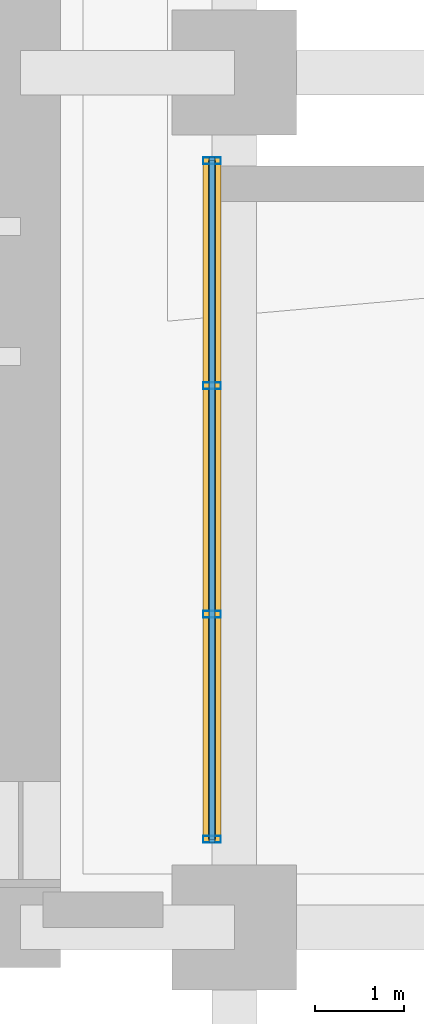
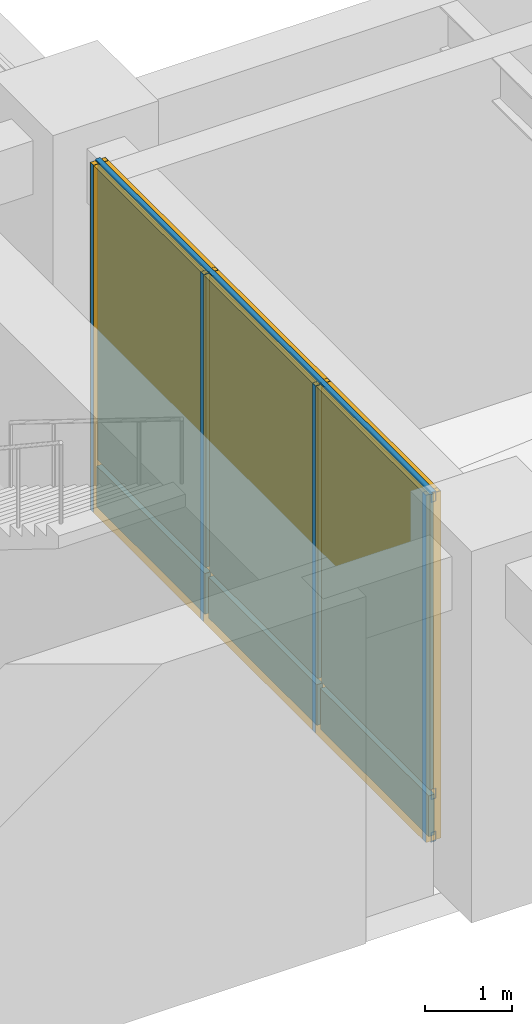
# One storey, part 10 of 22: 7 members, 6 plates, 1 curtain wall.
"""IFC4 building model written with IfcOpenShell, lengths in metres."""

from ifc_helpers import new_model, si_unit, direction, frame, frame_2d, origin, origin_2d, place, context, subcontext, project, spatial, rectangle, hollow_rectangle, extrude, material, layer, layer_set, material_profile, profile_set, type_object, element, aggregate, save


model = new_model("IFC4")

# Units and contexts
model_context = context("Model", 3, precision=1e-05, world=origin(), true_north=direction((0.0, 1.0)))
body_context = subcontext(model_context, "Body", "Model", "MODEL_VIEW")
ifc_project = project(units=[si_unit("LENGTHUNIT", "METRE"), si_unit("AREAUNIT", "SQUARE_METRE"), si_unit("VOLUMEUNIT", "CUBIC_METRE"), si_unit("PLANEANGLEUNIT", "RADIAN"), si_unit("MASSUNIT", "GRAM", prefix="KILO")], contexts=[model_context])

# Member
ifc_material_1 = material(Name="Anodized Aluminium 6063-T6", Category="aluminium")
ifc_material_profile_1 = material_profile(ifc_material_1, hollow_rectangle(XDim=0.074951171875, YDim=0.199951171875, WallThickness=0.00390625, at=origin_2d()), Name="Anodized Aluminium 6063-T6")
ifc_profile_set_1 = profile_set([ifc_material_profile_1], Name="Anodized Aluminium 6063-T6")
member_type_1 = type_object("IfcMemberType", Name="Curtain Wall Mullion 200", PredefinedType="MULLION", material=ifc_profile_set_1)
site_placement = place(None, origin())
building_placement = place(site_placement, origin())
storey_placement = place(building_placement, frame((0.0, 0.0, 5.199951171875)))
member_1_placement = place(storey_placement, frame((18.949951171875, 10.590087890625, 0.0), z_axis=(0.0, 0.0, 1.0), x_axis=(0.0, 1.0, 0.0)))
member_1 = element("IfcMember", 1, at=member_1_placement, type_object=member_type_1, Name="Curtain Wall Mullion CW-L01-LOB-S1-M01", PredefinedType="MULLION", context=body_context, shape_type="SweptSolid", body=[
    extrude(hollow_rectangle(XDim=0.074951171875, YDim=0.199951171875, WallThickness=0.00390625, at=origin_2d()), origin(), (0.0, 0.0, 1.0), 4.860107421875),
])

member_2_placement = place(storey_placement, frame((18.949951171875, 13.11669921875, 0.0), z_axis=(0.0, 0.0, 1.0), x_axis=(0.0, 1.0, 0.0)))
member_2 = element("IfcMember", 2, at=member_2_placement, type_object=member_type_1, Name="Curtain Wall Mullion CW-L01-LOB-S1-M02", PredefinedType="MULLION", context=body_context, shape_type="SweptSolid", body=[
    extrude(hollow_rectangle(XDim=0.074951171875, YDim=0.199951171875, WallThickness=0.00390625, at=origin_2d()), origin(), (0.0, 0.0, 1.0), 4.860107421875),
])

member_3_placement = place(storey_placement, frame((18.949951171875, 15.683349609375, 0.0), z_axis=(0.0, 0.0, 1.0), x_axis=(0.0, 1.0, 0.0)))
member_3 = element("IfcMember", 3, at=member_3_placement, type_object=member_type_1, Name="Curtain Wall Mullion CW-L01-LOB-S1-M03", PredefinedType="MULLION", context=body_context, shape_type="SweptSolid", body=[
    extrude(hollow_rectangle(XDim=0.074951171875, YDim=0.199951171875, WallThickness=0.00390625, at=origin_2d()), origin(), (0.0, 0.0, 1.0), 4.860107421875),
])

member_4_placement = place(storey_placement, frame((18.949951171875, 18.2099609375, 0.0), z_axis=(0.0, 0.0, 1.0), x_axis=(0.0, 1.0, 0.0)))
member_4 = element("IfcMember", 4, at=member_4_placement, type_object=member_type_1, Name="Curtain Wall Mullion CW-L01-LOB-S1-M04", PredefinedType="MULLION", context=body_context, shape_type="SweptSolid", body=[
    extrude(hollow_rectangle(XDim=0.074951171875, YDim=0.199951171875, WallThickness=0.00390625, at=origin_2d()), origin(), (0.0, 0.0, 1.0), 4.860107421875),
])

ifc_material_profile_2 = material_profile(ifc_material_1, hollow_rectangle(XDim=0.06494140625, YDim=0.139892578125, WallThickness=0.00341796875, at=origin_2d()), Name="Anodized Aluminium 6063-T6")
ifc_profile_set_2 = profile_set([ifc_material_profile_2], Name="Anodized Aluminium 6063-T6")
member_type_2 = type_object("IfcMemberType", Name="Curtain Wall Transom 140", PredefinedType="USERDEFINED", material=ifc_profile_set_2)
member_5_placement = place(storey_placement, frame((18.949951171875, 10.550048828125, 0.050048828125), z_axis=(0.0, 1.0, 0.0), x_axis=(-1.0, 0.0, 0.0)))
member_5 = element("IfcMember", 5, at=member_5_placement, type_object=member_type_2, Name="Curtain Wall Transom CW-L01-LOB-S1-T01", ObjectType="TRANSOM", PredefinedType="USERDEFINED", context=body_context, shape_type="SweptSolid", body=[
    extrude(hollow_rectangle(XDim=0.06494140625, YDim=0.139892578125, WallThickness=0.00341796875, at=origin_2d()), origin(), (0.0, 0.0, 1.0), 7.699951171875),
])

member_6_placement = place(storey_placement, frame((18.949951171875, 10.550048828125, 0.650146484375), z_axis=(0.0, 1.0, 0.0), x_axis=(-1.0, 0.0, 0.0)))
member_6 = element("IfcMember", 6, at=member_6_placement, type_object=member_type_2, Name="Curtain Wall Transom CW-L01-LOB-S1-T02", ObjectType="TRANSOM", PredefinedType="USERDEFINED", context=body_context, shape_type="SweptSolid", body=[
    extrude(hollow_rectangle(XDim=0.06494140625, YDim=0.139892578125, WallThickness=0.00341796875, at=origin_2d()), origin(), (0.0, 0.0, 1.0), 7.699951171875),
])

member_7_placement = place(storey_placement, frame((18.949951171875, 10.550048828125, 4.81005859375), z_axis=(0.0, 1.0, 0.0), x_axis=(-1.0, 0.0, 0.0)))
member_7 = element("IfcMember", 7, at=member_7_placement, type_object=member_type_2, Name="Curtain Wall Transom CW-L01-LOB-S1-T03", ObjectType="TRANSOM", PredefinedType="USERDEFINED", context=body_context, shape_type="SweptSolid", body=[
    extrude(hollow_rectangle(XDim=0.06494140625, YDim=0.139892578125, WallThickness=0.00341796875, at=origin_2d()), origin(), (0.0, 0.0, 1.0), 7.699951171875),
])

# Plate
ifc_material_2 = material(Name="Bird-Friendly Fritted Triple Glazing", Category="glass")
ifc_layer_1 = layer(ifc_material_2, 0.052001953125, Name="Bird-Friendly Fritted Triple Glazing")
ifc_layer_set_1 = layer_set([ifc_layer_1], Name="Bird-Friendly Fritted Triple Glazing")
plate_type_1 = type_object("IfcPlateType", Name="Plate CWGlazing 52", PredefinedType="CURTAIN_PANEL", material=ifc_layer_set_1)
plate_1_placement = place(storey_placement, frame((18.949951171875, 11.833251953125, 0.690185546875), z_axis=(0.0, 0.0, 1.0), x_axis=(0.0, 1.0, 0.0)))
plate_1 = element("IfcPlate", 8, at=plate_1_placement, type_object=plate_type_1, Name="Vision Glazing Panel CW-L01-LOB-S1-GL01", PredefinedType="CURTAIN_PANEL", context=body_context, shape_type="SweptSolid", body=[
    extrude(rectangle(XDim=2.48681640625, YDim=0.052001953125, at=origin_2d()), origin(), (0.0, 0.0, 1.0), 4.1298828125),
])

plate_2_placement = place(storey_placement, frame((18.949951171875, 14.39990234375, 0.690185546875), z_axis=(0.0, 0.0, 1.0), x_axis=(0.0, 1.0, 0.0)))
plate_2 = element("IfcPlate", 9, at=plate_2_placement, type_object=plate_type_1, Name="Vision Glazing Panel CW-L01-LOB-S1-GL02", PredefinedType="CURTAIN_PANEL", context=body_context, shape_type="SweptSolid", body=[
    extrude(rectangle(XDim=2.48681640625, YDim=0.052001953125, at=origin_2d()), origin(), (0.0, 0.0, 1.0), 4.1298828125),
])

plate_3_placement = place(storey_placement, frame((18.949951171875, 16.966796875, 0.690185546875), z_axis=(0.0, 0.0, 1.0), x_axis=(0.0, 1.0, 0.0)))
plate_3 = element("IfcPlate", 10, at=plate_3_placement, type_object=plate_type_1, Name="Vision Glazing Panel CW-L01-LOB-S1-GL03", PredefinedType="CURTAIN_PANEL", context=body_context, shape_type="SweptSolid", body=[
    extrude(rectangle(XDim=2.48681640625, YDim=0.052001953125, at=origin_2d()), origin(), (0.0, 0.0, 1.0), 4.1298828125),
])

ifc_material_3 = material(Name="Insulated Aluminium Spandrel Panel", Category="aluminium")
ifc_layer_2 = layer(ifc_material_3, 0.080078125, Name="Insulated Aluminium Spandrel Panel")
ifc_layer_set_2 = layer_set([ifc_layer_2], Name="Insulated Aluminium Spandrel Panel")
plate_type_2 = type_object("IfcPlateType", Name="Plate CWSpandrel 80", PredefinedType="SHEET", material=ifc_layer_set_2)
plate_4_placement = place(storey_placement, frame((18.949951171875, 11.833251953125, 0.0400390625), z_axis=(0.0, 0.0, 1.0), x_axis=(0.0, 1.0, 0.0)))
plate_4 = element("IfcPlate", 11, at=plate_4_placement, type_object=plate_type_2, Name="Spandrel Panel CW-L01-LOB-S1-SP01", PredefinedType="SHEET", context=body_context, shape_type="SweptSolid", body=[
    extrude(rectangle(XDim=2.48681640625, YDim=0.080078125, at=origin_2d()), origin(), (0.0, 0.0, 1.0), 0.570068359375),
])

plate_5_placement = place(storey_placement, frame((18.949951171875, 14.39990234375, 0.0400390625), z_axis=(0.0, 0.0, 1.0), x_axis=(0.0, 1.0, 0.0)))
plate_5 = element("IfcPlate", 12, at=plate_5_placement, type_object=plate_type_2, Name="Spandrel Panel CW-L01-LOB-S1-SP02", PredefinedType="SHEET", context=body_context, shape_type="SweptSolid", body=[
    extrude(rectangle(XDim=2.48681640625, YDim=0.080078125, at=origin_2d()), origin(), (0.0, 0.0, 1.0), 0.570068359375),
])

plate_6_placement = place(storey_placement, frame((18.949951171875, 16.966796875, 0.0400390625), z_axis=(0.0, 0.0, 1.0), x_axis=(0.0, 1.0, 0.0)))
plate_6 = element("IfcPlate", 13, at=plate_6_placement, type_object=plate_type_2, Name="Spandrel Panel CW-L01-LOB-S1-SP03", PredefinedType="SHEET", context=body_context, shape_type="SweptSolid", body=[
    extrude(rectangle(XDim=2.48681640625, YDim=0.080078125, at=origin_2d()), origin(), (0.0, 0.0, 1.0), 0.570068359375),
])

# Site, building, storey
site = spatial("IfcSite", under=ifc_project, at=site_placement, CompositionType="ELEMENT")
building = spatial("IfcBuilding", under=site, at=building_placement, Name="Norrvale University Quadrangle", CompositionType="ELEMENT")
storey = spatial("IfcBuildingStorey", under=building, at=storey_placement, Name="L01", CompositionType="ELEMENT", Elevation=5.199951171875)

# Curtain wall
ifc_material_4 = material(Name="Anodized Aluminium and Triple Glazing", Category="glass")
curtain_wall_type = type_object("IfcCurtainWallType", Name="Curtain Wall System 1 Pilotis Lobby", PredefinedType="NOTDEFINED", material=ifc_material_4)
curtain_wall_placement = place(storey_placement, frame((18.949951171875, 10.550048828125, 0.0), z_axis=(0.0, 0.0, 1.0), x_axis=(0.0, 1.0, 0.0)))
curtain_wall = element("IfcCurtainWall", 14, at=curtain_wall_placement, inside=storey, type_object=curtain_wall_type, Name="Curtain Wall CW System 1 Pilotis Lobby CW-L01-LOB-S1", PredefinedType="NOTDEFINED", context=body_context, shape_type="SweptSolid", body=[
    extrude(rectangle(XDim=7.699951171875, YDim=0.199951171875, at=frame_2d((3.85009765625, 0.0))), origin(), (0.0, 0.0, 1.0), 4.860107421875),
])

aggregate(curtain_wall, [member_1, member_2, member_3, member_4, member_5, member_6, member_7, plate_4, plate_1, plate_5, plate_2, plate_6, plate_3])

save(model, "model.ifc")
